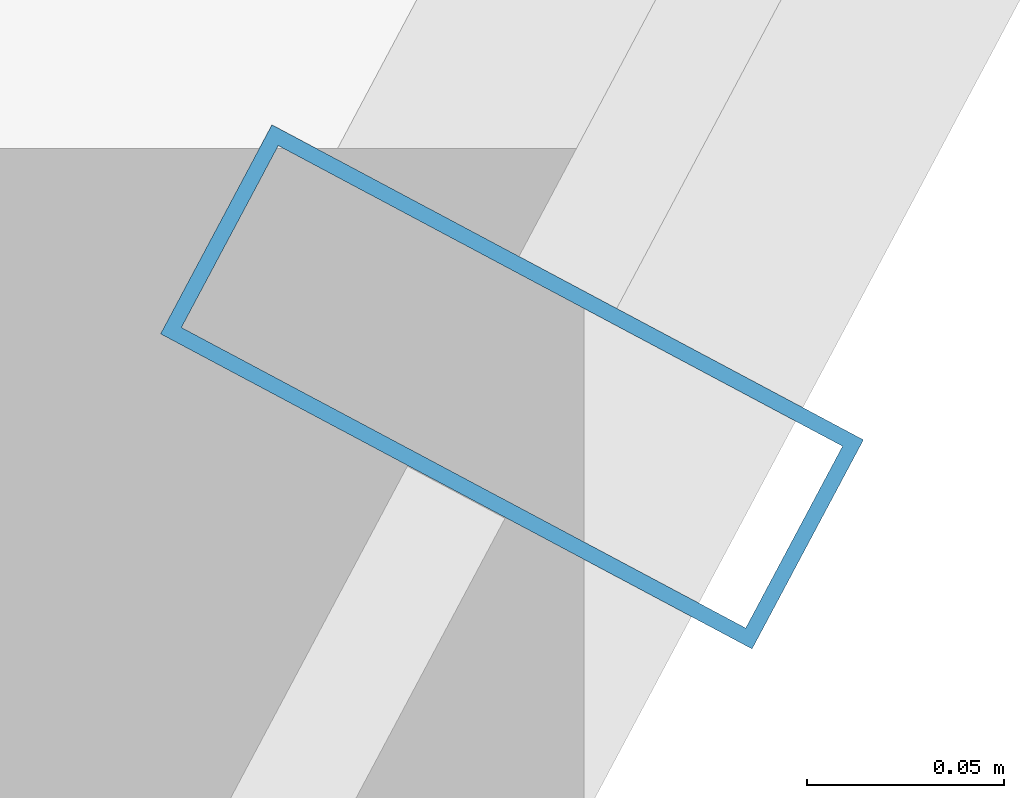
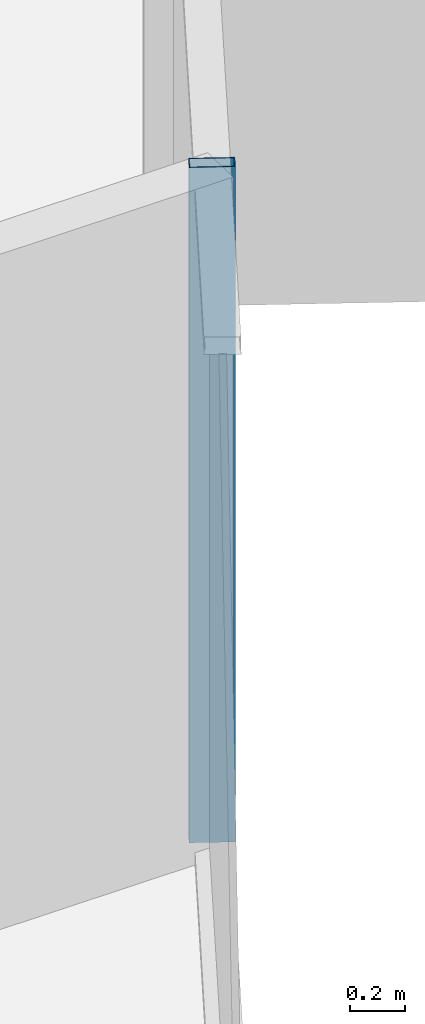
# One storey, part 16 of 39: 1 member, 1 element without a shape of its own.
"""IFC4 building model written with IfcOpenShell, lengths in metres."""

from ifc_helpers import new_model, si_unit, direction, frame, origin, origin_2d, place, context, subcontext, project, spatial, hollow_rectangle, extrude, source, transform, mapped, material, layer, layer_set, material_profile, profile_set, type_object, element, aggregate, save


model = new_model("IFC4")

# Units and contexts
model_context = context("Model", 3, precision=1e-05, world=origin(), true_north=direction((0.0, 1.0)))
body_context = subcontext(model_context, "Body", "Model", "MODEL_VIEW")
ifc_project = project(units=[si_unit("LENGTHUNIT", "METRE"), si_unit("AREAUNIT", "SQUARE_METRE"), si_unit("VOLUMEUNIT", "CUBIC_METRE"), si_unit("PLANEANGLEUNIT", "RADIAN"), si_unit("MASSUNIT", "GRAM", prefix="KILO")], contexts=[model_context])

# Site, building, storey
site_placement = place(None, origin())
site = spatial("IfcSite", under=ifc_project, at=site_placement, CompositionType="ELEMENT")
building_placement = place(site_placement, origin())
building = spatial("IfcBuilding", under=site, at=building_placement, Name="Veraguas Prism Commons", CompositionType="ELEMENT")
storey_placement = place(building_placement, frame((0.0, 0.0, 30.550048828125)))
storey = spatial("IfcBuildingStorey", under=building, at=storey_placement, Name="L07", CompositionType="ELEMENT", Elevation=30.550048828125)

# Curtain wall, member
ifc_material = material(Name="Anodised aluminium EN AW-6063 T6", Category="aluminium")
ifc_layer = layer(ifc_material, 0.169921875, Name="Unitised Flush Curtain Wall Zone 1", Category="aluminium")
ifc_layer_set = layer_set([ifc_layer], Name="Anodised aluminium EN AW-6063 T6")
curtain_wall_type = type_object("IfcCurtainWallType", Name="Unitised Flush Curtain Wall Zone 1", PredefinedType="NOTDEFINED", material=ifc_layer_set)
curtain_wall_placement = place(storey_placement, origin())
curtain_wall = element("IfcCurtainWall", 1, at=curtain_wall_placement, inside=storey, type_object=curtain_wall_type, Name="Tower Facade Curtain Wall L07-F6", PredefinedType="NOTDEFINED")
ifc_material_profile = material_profile(ifc_material, hollow_rectangle(XDim=0.06005859375, YDim=0.169921875, WallThickness=0.00390625, at=origin_2d()), Name="AL60X170X4")
ifc_profile_set = profile_set([ifc_material_profile], Name="Anodised aluminium EN AW-6063 T6")
member_type = type_object("IfcMemberType", Name="Curtain Wall Mullion Lower AL 60x170x4", PredefinedType="MULLION", material=ifc_profile_set)
shared_shape = source(origin(), body_context, "Body", "SweptSolid", [
    extrude(hollow_rectangle(XDim=0.06005859375, YDim=0.169921875, WallThickness=0.00390625, at=origin_2d()), origin(), (0.0, 0.0, 1.0), 3.0),
])
member_placement = place(storey_placement, frame((42.344970703125, 14.2294921875, 0.0), z_axis=(0.0, 0.0, 1.0), x_axis=(0.470089402494, 0.882618804277, 0.0)))
member = element("IfcMember", 2, at=member_placement, type_object=member_type, Name="CW-Z1 Mullion 3", PredefinedType="MULLION", context=body_context, shape_type="MappedRepresentation", body=[
    mapped(shared_shape, transform((0.0, 0.0, 0.0), scale=1.0)),
])
aggregate(curtain_wall, [member])

save(model, "model.ifc")
